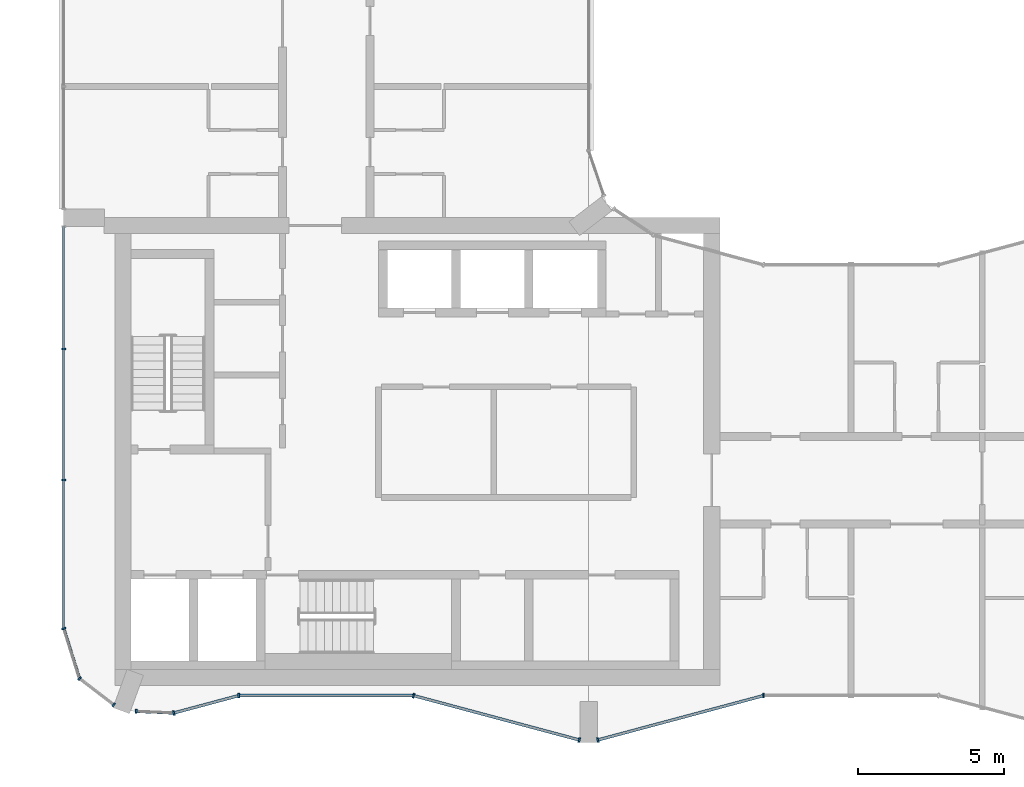
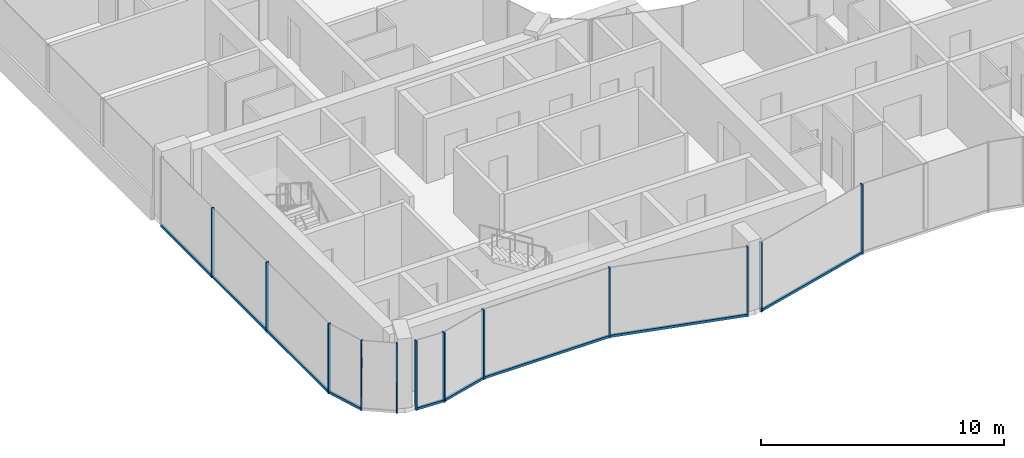
# One storey, part 2 of 15: 19 members, 9 elements without a shape of their own.
"""IFC4 building model written with IfcOpenShell, lengths in metres."""

from ifc_helpers import new_model, si_unit, direction, frame, origin, origin_2d, place, context, subcontext, project, spatial, rectangle, extrude, material, layer, layer_set, material_profile, profile_set, type_object, element, aggregate, save


model = new_model("IFC4")

# Units and contexts
model_context = context("Model", 3, precision=1e-05, world=origin(), true_north=direction((0.0, 1.0)))
body_context = subcontext(model_context, "Body", "Model", "MODEL_VIEW")
ifc_project = project(units=[si_unit("LENGTHUNIT", "METRE"), si_unit("AREAUNIT", "SQUARE_METRE"), si_unit("VOLUMEUNIT", "CUBIC_METRE"), si_unit("PLANEANGLEUNIT", "RADIAN"), si_unit("MASSUNIT", "GRAM", prefix="KILO")], contexts=[model_context])

# Site, building, storey
site_placement = place(None, origin())
site = spatial("IfcSite", under=ifc_project, at=site_placement, CompositionType="ELEMENT")
building_placement = place(site_placement, origin())
building = spatial("IfcBuilding", under=site, at=building_placement, Name="Plateau Cross Towers", CompositionType="ELEMENT")
storey_placement = place(building_placement, frame((0.0, 0.0, 194.39990234375)))
storey = spatial("IfcBuildingStorey", under=building, at=storey_placement, Name="L50", CompositionType="ELEMENT", Elevation=194.39990234375)

# Curtain wall, members
ifc_material_1 = material(Name="Dark low-iron glass", Category="glass")
ifc_layer_1 = layer(ifc_material_1, 0.239990234375)
ifc_layer_set_1 = layer_set([ifc_layer_1], Name="Dark low-iron glass")
curtain_wall_type_1 = type_object("IfcCurtainWallType", Name="Curtain wall flush unitised CW-B", PredefinedType="NOTDEFINED", material=ifc_layer_set_1)
curtain_wall_1_placement = place(storey_placement, origin())
curtain_wall_1 = element("IfcCurtainWall", 1, at=curtain_wall_1_placement, inside=storey, type_object=curtain_wall_type_1, Name="ENV/A/L50/A0_177", PredefinedType="NOTDEFINED")
ifc_material_2 = material(Name="Black anodised aluminium", Category="aluminium")
ifc_material_profile_1 = material_profile(ifc_material_2, rectangle(XDim=0.06005859375, YDim=0.139892578125, at=origin_2d()), Name="MULLION 60x140")
ifc_profile_set_1 = profile_set([ifc_material_profile_1], Name="Black anodised aluminium")
member_type_1 = type_object("IfcMemberType", Name="Mullion 60x140 flush unitised", PredefinedType="MULLION", material=ifc_profile_set_1)
member_1_placement = place(storey_placement, frame((0.0, 13.5, -0.25), z_axis=(0.0, 0.0, 1.0), x_axis=(0.0, -1.0, 0.0)))
member_1 = element("IfcMember", 2, at=member_1_placement, type_object=member_type_1, Name="CW-B mullion 2", PredefinedType="MULLION", context=body_context, shape_type="SweptSolid", body=[
    extrude(rectangle(XDim=0.06005859375, YDim=0.139892578125, at=origin_2d()), origin(), (0.0, 0.0, 1.0), 3.5),
])
member_2_placement = place(storey_placement, frame((0.0, 9.0, -0.25), z_axis=(0.0, 0.0, 1.0), x_axis=(0.0, -1.0, 0.0)))
member_2 = element("IfcMember", 3, at=member_2_placement, type_object=member_type_1, Name="CW-B mullion 3", PredefinedType="MULLION", context=body_context, shape_type="SweptSolid", body=[
    extrude(rectangle(XDim=0.06005859375, YDim=0.139892578125, at=origin_2d()), origin(), (0.0, 0.0, 1.0), 3.5),
])

# Curtain wall, member
curtain_wall_2_placement = place(storey_placement, origin())
curtain_wall_2 = element("IfcCurtainWall", 4, at=curtain_wall_2_placement, inside=storey, type_object=curtain_wall_type_1, Name="ENV/A/L50/A0_39", PredefinedType="NOTDEFINED")
member_3_placement = place(storey_placement, frame((0.0, 3.9091796875, -0.25), z_axis=(0.0, 0.0, 1.0), x_axis=(0.300686174994, -0.95372313811, 0.0)))
member_3 = element("IfcMember", 5, at=member_3_placement, type_object=member_type_1, Name="CW-B mullion 1", PredefinedType="MULLION", context=body_context, shape_type="SweptSolid", body=[
    extrude(rectangle(XDim=0.06005859375, YDim=0.139892578125, at=origin_2d()), origin(), (0.0, 0.0, 1.0), 3.5),
])

# Curtain wall, members
curtain_wall_3_placement = place(storey_placement, origin())
curtain_wall_3 = element("IfcCurtainWall", 6, at=curtain_wall_3_placement, inside=storey, type_object=curtain_wall_type_1, Name="ENV/A/L50/A5_22", PredefinedType="NOTDEFINED")
member_4_placement = place(storey_placement, frame((0.54248046875, 2.1884765625, -0.25), z_axis=(0.0, 0.0, 1.0), x_axis=(0.793315514529, -0.608810721331, 0.0)))
member_4 = element("IfcMember", 7, at=member_4_placement, type_object=member_type_1, Name="CW-B mullion 1", PredefinedType="MULLION", context=body_context, shape_type="SweptSolid", body=[
    extrude(rectangle(XDim=0.06005859375, YDim=0.139892578125, at=origin_2d()), origin(), (0.0, 0.0, 1.0), 3.5),
])
member_5_placement = place(storey_placement, frame((1.709716796875, 1.292724609375, -0.25), z_axis=(0.0, 0.0, 1.0), x_axis=(0.793315514529, -0.608810721331, 0.0)))
member_5 = element("IfcMember", 8, at=member_5_placement, type_object=member_type_1, Name="CW-B mullion 2", PredefinedType="MULLION", context=body_context, shape_type="SweptSolid", body=[
    extrude(rectangle(XDim=0.06005859375, YDim=0.139892578125, at=origin_2d()), origin(), (0.0, 0.0, 1.0), 3.5),
])
aggregate(curtain_wall_3, [member_4, member_5])

# Curtain wall, member
curtain_wall_4_placement = place(storey_placement, origin())
curtain_wall_4 = element("IfcCurtainWall", 9, at=curtain_wall_4_placement, inside=storey, type_object=curtain_wall_type_1, Name="ENV/A/L50/A25_11", PredefinedType="NOTDEFINED")
member_6_placement = place(storey_placement, frame((2.483642578125, 1.06787109375, -0.25), z_axis=(0.0, 0.0, 1.0), x_axis=(0.999043701491, -0.043722791671, 0.0)))
member_6 = element("IfcMember", 10, at=member_6_placement, type_object=member_type_1, Name="CW-B mullion 1", PredefinedType="MULLION", context=body_context, shape_type="SweptSolid", body=[
    extrude(rectangle(XDim=0.06005859375, YDim=0.139892578125, at=origin_2d()), origin(), (0.0, 0.0, 1.0), 3.5),
])

ifc_layer_2 = layer(ifc_material_1, 0.260009765625)
ifc_layer_set_2 = layer_set([ifc_layer_2], Name="Dark low-iron glass")
curtain_wall_type_2 = type_object("IfcCurtainWallType", Name="Curtain wall fluted unitised CW-A", PredefinedType="NOTDEFINED", material=ifc_layer_set_2)
curtain_wall_5_placement = place(storey_placement, origin())
curtain_wall_5 = element("IfcCurtainWall", 11, at=curtain_wall_5_placement, inside=storey, type_object=curtain_wall_type_2, Name="ENV/A/L50/A38_10", PredefinedType="NOTDEFINED")
ifc_material_profile_2 = material_profile(ifc_material_2, rectangle(XDim=0.06005859375, YDim=0.159912109375, at=origin_2d()), Name="MULLION 60x160")
ifc_profile_set_2 = profile_set([ifc_material_profile_2], Name="Black anodised aluminium")
member_type_2 = type_object("IfcMemberType", Name="Mullion 60x160 fluted unitised", PredefinedType="MULLION", material=ifc_profile_set_2)
member_7_placement = place(storey_placement, frame((3.776123046875, 1.01123046875, -0.25), z_axis=(0.0, 0.0, 1.0), x_axis=(0.965957962328, 0.258699081978, 0.0)))
member_7 = element("IfcMember", 12, at=member_7_placement, type_object=member_type_2, Name="CW-A mullion 1", PredefinedType="MULLION", context=body_context, shape_type="SweptSolid", body=[
    extrude(rectangle(XDim=0.06005859375, YDim=0.159912109375, at=origin_2d()), origin(), (0.0, 0.0, 1.0), 3.5),
])

curtain_wall_6_placement = place(storey_placement, origin())
curtain_wall_6 = element("IfcCurtainWall", 13, at=curtain_wall_6_placement, inside=storey, type_object=curtain_wall_type_2, Name="ENV/A/L50/A60_16", PredefinedType="NOTDEFINED")
member_8_placement = place(storey_placement, frame((6.0, 1.60693359375, -0.25), z_axis=(0.0, 0.0, 1.0), x_axis=(1.0, 0.0, 0.0)))
member_8 = element("IfcMember", 14, at=member_8_placement, type_object=member_type_2, Name="CW-A mullion 1", PredefinedType="MULLION", context=body_context, shape_type="SweptSolid", body=[
    extrude(rectangle(XDim=0.06005859375, YDim=0.159912109375, at=origin_2d()), origin(), (0.0, 0.0, 1.0), 3.5),
])

# Curtain wall, members
curtain_wall_7_placement = place(storey_placement, origin())
curtain_wall_7 = element("IfcCurtainWall", 15, at=curtain_wall_7_placement, inside=storey, type_object=curtain_wall_type_2, Name="ENV/A/L50/A120_16", PredefinedType="NOTDEFINED")
member_9_placement = place(storey_placement, frame((12.0, 1.60693359375, -0.25), z_axis=(0.0, 0.0, 1.0), x_axis=(0.965957983404, -0.258699003279, 0.0)))
member_9 = element("IfcMember", 16, at=member_9_placement, type_object=member_type_2, Name="CW-A mullion 1", PredefinedType="MULLION", context=body_context, shape_type="SweptSolid", body=[
    extrude(rectangle(XDim=0.06005859375, YDim=0.159912109375, at=origin_2d()), origin(), (0.0, 0.0, 1.0), 3.5),
])
member_10_placement = place(storey_placement, frame((17.68212890625, 0.085205078125, -0.25), z_axis=(0.0, 0.0, 1.0), x_axis=(0.965957983404, -0.258699003279, 0.0)))
member_10 = element("IfcMember", 17, at=member_10_placement, type_object=member_type_2, Name="CW-A mullion 2", PredefinedType="MULLION", context=body_context, shape_type="SweptSolid", body=[
    extrude(rectangle(XDim=0.06005859375, YDim=0.159912109375, at=origin_2d()), origin(), (0.0, 0.0, 1.0), 3.5),
])

# Curtain wall, member
curtain_wall_8_placement = place(storey_placement, origin())
curtain_wall_8 = element("IfcCurtainWall", 18, at=curtain_wall_8_placement, inside=storey, type_object=curtain_wall_type_2, Name="ENV/A/L50/A183_1", PredefinedType="NOTDEFINED")
member_11_placement = place(storey_placement, frame((18.31787109375, 0.085205078125, -0.25), z_axis=(0.0, 0.0, 1.0), x_axis=(0.965957983404, 0.258699003279, 0.0)))
member_11 = element("IfcMember", 19, at=member_11_placement, type_object=member_type_2, Name="CW-A mullion 1", PredefinedType="MULLION", context=body_context, shape_type="SweptSolid", body=[
    extrude(rectangle(XDim=0.06005859375, YDim=0.159912109375, at=origin_2d()), origin(), (0.0, 0.0, 1.0), 3.5),
])

curtain_wall_9_placement = place(storey_placement, origin())
curtain_wall_9 = element("IfcCurtainWall", 20, at=curtain_wall_9_placement, inside=storey, type_object=curtain_wall_type_2, Name="ENV/A/L50/A240_16", PredefinedType="NOTDEFINED")
member_12_placement = place(storey_placement, frame((24.0, 1.60693359375, -0.25), z_axis=(0.0, 0.0, 1.0), x_axis=(1.0, 0.0, 0.0)))
member_12 = element("IfcMember", 21, at=member_12_placement, type_object=member_type_2, Name="CW-A mullion 1", PredefinedType="MULLION", context=body_context, shape_type="SweptSolid", body=[
    extrude(rectangle(XDim=0.06005859375, YDim=0.159912109375, at=origin_2d()), origin(), (0.0, 0.0, 1.0), 3.5),
])
aggregate(curtain_wall_9, [member_12])

# Member
ifc_material_profile_3 = material_profile(ifc_material_2, rectangle(XDim=0.10009765625, YDim=0.1201171875, at=origin_2d()), Name="TRANSOM 100x120")
ifc_profile_set_3 = profile_set([ifc_material_profile_3], Name="Black anodised aluminium")
member_type_3 = type_object("IfcMemberType", Name="Transom 100x120 flush unitised", PredefinedType="USERDEFINED", material=ifc_profile_set_3)
member_13_placement = place(storey_placement, frame((0.0, 17.699951171875, -0.18994140625), z_axis=(0.0, -1.0, 0.0), x_axis=(1.0, 0.0, 0.0)))
member_13 = element("IfcMember", 22, at=member_13_placement, type_object=member_type_3, Name="CW-B transom", ObjectType="TRANSOM", PredefinedType="USERDEFINED", context=body_context, shape_type="SweptSolid", body=[
    extrude(rectangle(XDim=0.10009765625, YDim=0.1201171875, at=origin_2d()), origin(), (0.0, 0.0, 1.0), 13.790771484375),
])

aggregate(curtain_wall_1, [member_1, member_2, member_13])

member_14_placement = place(storey_placement, frame((0.0, 3.9091796875, -0.18994140625), z_axis=(0.30067799945, -0.953725715626, 0.0), x_axis=(0.953725715626, 0.30067799945, 0.0)))
member_14 = element("IfcMember", 23, at=member_14_placement, type_object=member_type_3, Name="CW-B transom", ObjectType="TRANSOM", PredefinedType="USERDEFINED", context=body_context, shape_type="SweptSolid", body=[
    extrude(rectangle(XDim=0.10009765625, YDim=0.1201171875, at=origin_2d()), origin(), (0.0, 0.0, 1.0), 1.80419921875),
])

aggregate(curtain_wall_2, [member_3, member_14])

member_15_placement = place(storey_placement, frame((2.483642578125, 1.06787109375, -0.18994140625), z_axis=(0.999041144614, -0.043781175963, 0.0), x_axis=(0.043781175963, 0.999041144614, 0.0)))
member_15 = element("IfcMember", 24, at=member_15_placement, type_object=member_type_3, Name="CW-B transom", ObjectType="TRANSOM", PredefinedType="USERDEFINED", context=body_context, shape_type="SweptSolid", body=[
    extrude(rectangle(XDim=0.10009765625, YDim=0.1201171875, at=origin_2d()), origin(), (0.0, 0.0, 1.0), 1.293701171875),
])

aggregate(curtain_wall_4, [member_6, member_15])

ifc_material_profile_4 = material_profile(ifc_material_2, rectangle(XDim=0.10009765625, YDim=0.1201171875, at=origin_2d()), Name="TRANSOM 100x120")
ifc_profile_set_4 = profile_set([ifc_material_profile_4], Name="Black anodised aluminium")
member_type_4 = type_object("IfcMemberType", Name="Transom 100x120 fluted unitised", PredefinedType="USERDEFINED", material=ifc_profile_set_4)
member_16_placement = place(storey_placement, frame((3.776123046875, 1.01123046875, -0.18994140625), z_axis=(0.965945685136, 0.258744919501, 0.0), x_axis=(-0.258744919501, 0.965945685136, 0.0)))
member_16 = element("IfcMember", 25, at=member_16_placement, type_object=member_type_4, Name="CW-A transom", ObjectType="TRANSOM", PredefinedType="USERDEFINED", context=body_context, shape_type="SweptSolid", body=[
    extrude(rectangle(XDim=0.10009765625, YDim=0.1201171875, at=origin_2d()), origin(), (0.0, 0.0, 1.0), 2.30224609375),
])

aggregate(curtain_wall_5, [member_7, member_16])

member_17_placement = place(storey_placement, frame((6.0, 1.60693359375, -0.18994140625), z_axis=(1.0, 0.0, 0.0), x_axis=(0.0, 1.0, 0.0)))
member_17 = element("IfcMember", 26, at=member_17_placement, type_object=member_type_4, Name="CW-A transom", ObjectType="TRANSOM", PredefinedType="USERDEFINED", context=body_context, shape_type="SweptSolid", body=[
    extrude(rectangle(XDim=0.10009765625, YDim=0.1201171875, at=origin_2d()), origin(), (0.0, 0.0, 1.0), 6.0),
])

aggregate(curtain_wall_6, [member_8, member_17])

member_18_placement = place(storey_placement, frame((12.0, 1.60693359375, -0.18994140625), z_axis=(0.965959534794, -0.258693210465, 0.0), x_axis=(0.258693210465, 0.965959534794, 0.0)))
member_18 = element("IfcMember", 27, at=member_18_placement, type_object=member_type_4, Name="CW-A transom", ObjectType="TRANSOM", PredefinedType="USERDEFINED", context=body_context, shape_type="SweptSolid", body=[
    extrude(rectangle(XDim=0.10009765625, YDim=0.1201171875, at=origin_2d()), origin(), (0.0, 0.0, 1.0), 5.88232421875),
])

aggregate(curtain_wall_7, [member_9, member_10, member_18])

member_19_placement = place(storey_placement, frame((18.31787109375, 0.085205078125, -0.18994140625), z_axis=(0.965959534794, 0.258693210465, 0.0), x_axis=(-0.258693210465, 0.965959534794, 0.0)))
member_19 = element("IfcMember", 28, at=member_19_placement, type_object=member_type_4, Name="CW-A transom", ObjectType="TRANSOM", PredefinedType="USERDEFINED", context=body_context, shape_type="SweptSolid", body=[
    extrude(rectangle(XDim=0.10009765625, YDim=0.1201171875, at=origin_2d()), origin(), (0.0, 0.0, 1.0), 5.88232421875),
])

aggregate(curtain_wall_8, [member_11, member_19])

save(model, "model.ifc")
